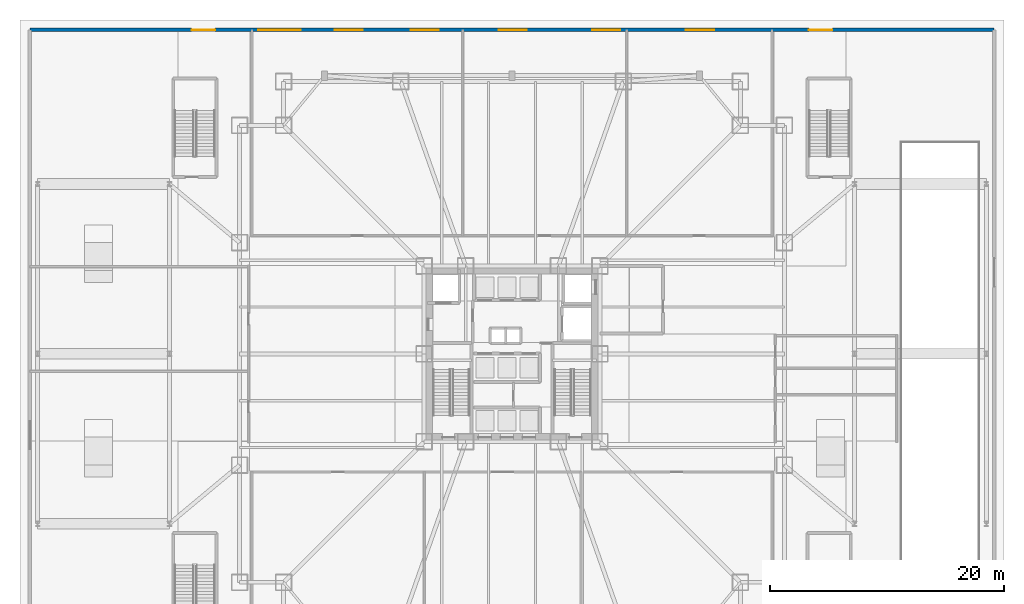
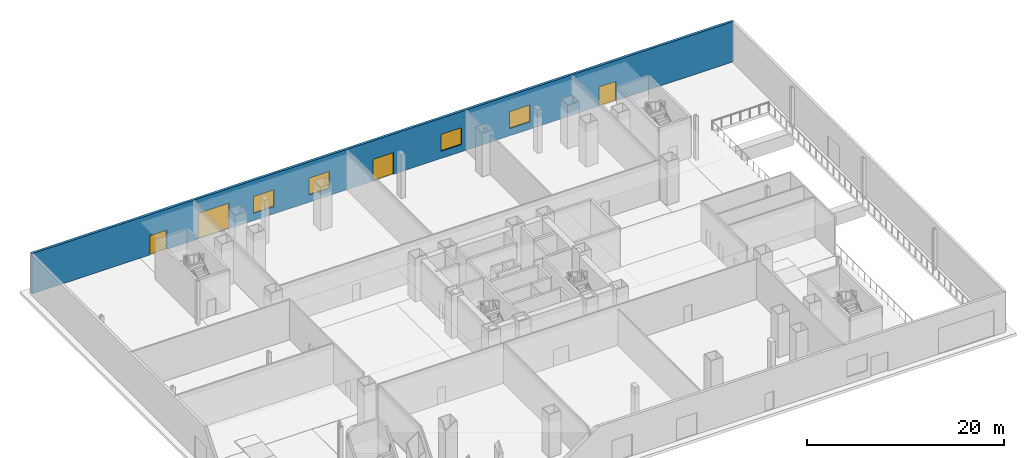
# One storey, part 10 of 24: 4 doors, 4 windows, 1 wall, 8 openings.
"""IFC4 building model written with IfcOpenShell, lengths in metres."""

from ifc_helpers import new_model, si_unit, direction, frame, frame_2d, origin, place, context, subcontext, project, spatial, rectangle, extrude, material, layer, layer_set, type_object, element, fill, save


model = new_model("IFC4")

# Units and contexts
model_context = context("Model", 3, precision=1e-05, world=origin(), true_north=direction((0.0, 1.0)))
body_context = subcontext(model_context, "Body", "Model", "MODEL_VIEW")
ifc_project = project(units=[si_unit("LENGTHUNIT", "METRE"), si_unit("AREAUNIT", "SQUARE_METRE"), si_unit("VOLUMEUNIT", "CUBIC_METRE"), si_unit("PLANEANGLEUNIT", "RADIAN"), si_unit("MASSUNIT", "GRAM", prefix="KILO")], contexts=[model_context])

# Site, building, storey
site_placement = place(None, origin())
site = spatial("IfcSite", under=ifc_project, at=site_placement, CompositionType="ELEMENT")
building_placement = place(site_placement, origin())
building = spatial("IfcBuilding", under=site, at=building_placement, Name="Trevonay Congress Spire", CompositionType="ELEMENT")
storey_placement = place(building_placement, origin())
storey = spatial("IfcBuildingStorey", under=building, at=storey_placement, Name="L00", CompositionType="ELEMENT", Elevation=0.0)

# Wall, openings, doors, windows
ifc_material_1 = material(Name="Precast concrete C40/50", Category="concrete")
ifc_layer = layer(ifc_material_1, 0.300048828125, Name="Precast concrete C40/50")
ifc_layer_set = layer_set([ifc_layer], Name="Precast concrete C40/50")
wall_type = type_object("IfcWallType", Name="WAL-EXT-PRECAST-300", PredefinedType="SOLIDWALL", material=ifc_layer_set)
wall_placement = place(storey_placement, frame((-41.14990234375, 27.64990234375, 0.0), z_axis=(0.0, 0.0, 1.0), x_axis=(1.0, 0.0, 0.0)))
wall = element("IfcWall", 1, at=wall_placement, inside=storey, type_object=wall_type, Name="L00 North harbour facade backup wall", PredefinedType="SOLIDWALL", context=body_context, shape_type="SweptSolid", body=[
    extrude(rectangle(XDim=82.2998046875, YDim=0.300048828125, at=frame_2d((41.14990234375, 0.0))), origin(), (0.0, 0.0, 1.0), 5.0),
])
opening_1_placement = place(wall_placement, frame((13.800048828125, 0.0, 0.0)))
opening_1 = element("IfcOpeningElement", 2, at=opening_1_placement, cuts=wall, Name="Opening D02", PredefinedType="OPENING", context=body_context, shape_type="SweptSolid", body=[
    extrude(rectangle(XDim=2.0, YDim=2.39990234375, at=frame_2d((1.0, 1.199951171875))), frame((0.0, 0.16015625, 0.0), z_axis=(0.0, -1.0, 0.0), x_axis=(1.0, 0.0, 0.0)), (0.0, 0.0, 1.0), 0.320068359375),
])
opening_2_placement = place(wall_placement, frame((19.5, 0.0, 0.0)))
opening_2 = element("IfcOpeningElement", 3, at=opening_2_placement, cuts=wall, Name="Opening VG02", PredefinedType="OPENING", context=body_context, shape_type="SweptSolid", body=[
    extrude(rectangle(XDim=3.60009765625, YDim=3.199951171875, at=frame_2d((1.800048828125, 1.60009765625))), frame((0.0, 0.16015625, 0.0), z_axis=(0.0, -1.0, 0.0), x_axis=(1.0, 0.0, 0.0)), (0.0, 0.0, 1.0), 0.320068359375),
])
opening_3_placement = place(wall_placement, frame((40.0, 0.0, 0.0)))
opening_3 = element("IfcOpeningElement", 4, at=opening_3_placement, cuts=wall, Name="Opening D01", PredefinedType="OPENING", context=body_context, shape_type="SweptSolid", body=[
    extrude(rectangle(XDim=2.39990234375, YDim=2.699951171875, at=frame_2d((1.199951171875, 1.35009765625))), frame((0.0, 0.16015625, 0.0), z_axis=(0.0, -1.0, 0.0), x_axis=(1.0, 0.0, 0.0)), (0.0, 0.0, 1.0), 0.320068359375),
])
opening_4_placement = place(wall_placement, frame((66.5, 0.0, 0.0)))
opening_4 = element("IfcOpeningElement", 5, at=opening_4_placement, cuts=wall, Name="Opening D02", PredefinedType="OPENING", context=body_context, shape_type="SweptSolid", body=[
    extrude(rectangle(XDim=2.0, YDim=2.39990234375, at=frame_2d((1.0, 1.199951171875))), frame((0.0, 0.16015625, 0.0), z_axis=(0.0, -1.0, 0.0), x_axis=(1.0, 0.0, 0.0)), (0.0, 0.0, 1.0), 0.320068359375),
])
opening_5_placement = place(wall_placement, frame((26.0, 0.0, 0.89990234375)))
opening_5 = element("IfcOpeningElement", 6, at=opening_5_placement, cuts=wall, Name="Opening WN02", PredefinedType="OPENING", context=body_context, shape_type="SweptSolid", body=[
    extrude(rectangle(XDim=2.39990234375, YDim=2.10009765625, at=frame_2d((1.199951171875, 1.050048828125))), frame((0.0, 0.16015625, 0.0), z_axis=(0.0, -1.0, 0.0), x_axis=(1.0, 0.0, 0.0)), (0.0, 0.0, 1.0), 0.320068359375),
])
opening_6_placement = place(wall_placement, frame((32.5, 0.0, 0.89990234375)))
opening_6 = element("IfcOpeningElement", 7, at=opening_6_placement, cuts=wall, Name="Opening WN02", PredefinedType="OPENING", context=body_context, shape_type="SweptSolid", body=[
    extrude(rectangle(XDim=2.39990234375, YDim=2.10009765625, at=frame_2d((1.199951171875, 1.050048828125))), frame((0.0, 0.16015625, 0.0), z_axis=(0.0, -1.0, 0.0), x_axis=(1.0, 0.0, 0.0)), (0.0, 0.0, 1.0), 0.320068359375),
])
opening_7_placement = place(wall_placement, frame((48.0, 0.0, 0.89990234375)))
opening_7 = element("IfcOpeningElement", 8, at=opening_7_placement, cuts=wall, Name="Opening WN02", PredefinedType="OPENING", context=body_context, shape_type="SweptSolid", body=[
    extrude(rectangle(XDim=2.39990234375, YDim=2.10009765625, at=frame_2d((1.199951171875, 1.050048828125))), frame((0.0, 0.16015625, 0.0), z_axis=(0.0, -1.0, 0.0), x_axis=(1.0, 0.0, 0.0)), (0.0, 0.0, 1.0), 0.320068359375),
])
opening_8_placement = place(wall_placement, frame((56.0, 0.0, 0.89990234375)))
opening_8 = element("IfcOpeningElement", 9, at=opening_8_placement, cuts=wall, Name="Opening WN02", PredefinedType="OPENING", context=body_context, shape_type="SweptSolid", body=[
    extrude(rectangle(XDim=2.39990234375, YDim=2.10009765625, at=frame_2d((1.199951171875, 1.050048828125))), frame((0.0, 0.16015625, 0.0), z_axis=(0.0, -1.0, 0.0), x_axis=(1.0, 0.0, 0.0)), (0.0, 0.0, 1.0), 0.320068359375),
])
ifc_material_2 = material(Name="Pale Anodised Aluminium EN AW-6063-T6", Category="aluminium")
door_type_1 = type_object("IfcDoorType", Name="DOR-EXT-ENTR-DBL", OperationType="DOUBLE_DOOR_SINGLE_SWING", PredefinedType="DOOR", material=ifc_material_2)
door_1_placement = place(opening_3_placement, origin())
door_1 = element("IfcDoor", 10, at=door_1_placement, inside=storey, type_object=door_type_1, Name="L00 North diplomatic drop-off portal door", OperationType="DOUBLE_DOOR_SINGLE_SWING", OverallHeight=2.699951171875, OverallWidth=2.39990234375, PredefinedType="DOOR", context=body_context, shape_type="SweptSolid", body=[
    extrude(rectangle(XDim=2.39990234375, YDim=2.699951171875, at=frame_2d((1.199951171875, 1.35009765625))), frame((0.0, 0.02490234375, 0.0), z_axis=(0.0, -1.0, 0.0), x_axis=(1.0, 0.0, 0.0)), (0.0, 0.0, 1.0), 0.050048828125),
])
fill(opening_3, door_1)
door_type_2 = type_object("IfcDoorType", Name="DOR-EXT-EXIT-DBL", OperationType="DOUBLE_DOOR_SINGLE_SWING", PredefinedType="DOOR", material=ifc_material_2)
door_2_placement = place(opening_1_placement, origin())
door_2 = element("IfcDoor", 11, at=door_2_placement, inside=storey, type_object=door_type_2, Name="L00 North-West protected exit discharge door", OperationType="DOUBLE_DOOR_SINGLE_SWING", OverallHeight=2.39990234375, OverallWidth=2.0, PredefinedType="DOOR", context=body_context, shape_type="SweptSolid", body=[
    extrude(rectangle(XDim=2.0, YDim=2.39990234375, at=frame_2d((1.0, 1.199951171875))), frame((0.0, 0.02490234375, 0.0), z_axis=(0.0, -1.0, 0.0), x_axis=(1.0, 0.0, 0.0)), (0.0, 0.0, 1.0), 0.050048828125),
])
fill(opening_1, door_2)
door_3_placement = place(opening_4_placement, origin())
door_3 = element("IfcDoor", 12, at=door_3_placement, inside=storey, type_object=door_type_2, Name="L00 North-East protected exit discharge door", OperationType="DOUBLE_DOOR_SINGLE_SWING", OverallHeight=2.39990234375, OverallWidth=2.0, PredefinedType="DOOR", context=body_context, shape_type="SweptSolid", body=[
    extrude(rectangle(XDim=2.0, YDim=2.39990234375, at=frame_2d((1.0, 1.199951171875))), frame((0.0, 0.02490234375, 0.0), z_axis=(0.0, -1.0, 0.0), x_axis=(1.0, 0.0, 0.0)), (0.0, 0.0, 1.0), 0.050048828125),
])
fill(opening_4, door_3)
door_type_3 = type_object("IfcDoorType", Name="GAT-SRV-ROLLER-360", OperationType="ROLLINGUP", PredefinedType="GATE", material=ifc_material_2)
door_4_placement = place(opening_2_placement, origin())
door_4 = element("IfcDoor", 13, at=door_4_placement, inside=storey, type_object=door_type_3, Name="L00 North-West exhibition freight shutter gate VG02", OperationType="SINGLE_SWING_LEFT", OverallHeight=3.199951171875, OverallWidth=3.60009765625, PredefinedType="GATE", context=body_context, shape_type="SweptSolid", body=[
    extrude(rectangle(XDim=3.60009765625, YDim=3.199951171875, at=frame_2d((1.800048828125, 1.60009765625))), frame((0.0, 0.02490234375, 0.0), z_axis=(0.0, -1.0, 0.0), x_axis=(1.0, 0.0, 0.0)), (0.0, 0.0, 1.0), 0.050048828125),
])
fill(opening_2, door_4)
ifc_material_3 = material(Name="Insulated Low-E Vision Glass IGU", Category="glass")
window_type = type_object("IfcWindowType", Name="WIN-PODIUM-240X210", PartitioningType="SINGLE_PANEL", PredefinedType="WINDOW", material=ifc_material_3)
window_1_placement = place(opening_5_placement, origin())
window_1 = element("IfcWindow", 14, at=window_1_placement, inside=storey, type_object=window_type, Name="L00 North harbour arcade window 1", OverallHeight=2.10009765625, OverallWidth=2.39990234375, PartitioningType="SINGLE_PANEL", PredefinedType="WINDOW", context=body_context, shape_type="SweptSolid", body=[
    extrude(rectangle(XDim=2.39990234375, YDim=2.10009765625, at=frame_2d((1.199951171875, 1.050048828125))), frame((0.0, 0.030029296875, 0.0), z_axis=(0.0, -1.0, 0.0), x_axis=(1.0, 0.0, 0.0)), (0.0, 0.0, 1.0), 0.06005859375),
])
fill(opening_5, window_1)
window_2_placement = place(opening_6_placement, origin())
window_2 = element("IfcWindow", 15, at=window_2_placement, inside=storey, type_object=window_type, Name="L00 North harbour arcade window 2", OverallHeight=2.10009765625, OverallWidth=2.39990234375, PartitioningType="SINGLE_PANEL", PredefinedType="WINDOW", context=body_context, shape_type="SweptSolid", body=[
    extrude(rectangle(XDim=2.39990234375, YDim=2.10009765625, at=frame_2d((1.199951171875, 1.050048828125))), frame((0.0, 0.030029296875, 0.0), z_axis=(0.0, -1.0, 0.0), x_axis=(1.0, 0.0, 0.0)), (0.0, 0.0, 1.0), 0.06005859375),
])
fill(opening_6, window_2)
window_3_placement = place(opening_7_placement, origin())
window_3 = element("IfcWindow", 16, at=window_3_placement, inside=storey, type_object=window_type, Name="L00 North harbour arcade window 3", OverallHeight=2.10009765625, OverallWidth=2.39990234375, PartitioningType="SINGLE_PANEL", PredefinedType="WINDOW", context=body_context, shape_type="SweptSolid", body=[
    extrude(rectangle(XDim=2.39990234375, YDim=2.10009765625, at=frame_2d((1.199951171875, 1.050048828125))), frame((0.0, 0.030029296875, 0.0), z_axis=(0.0, -1.0, 0.0), x_axis=(1.0, 0.0, 0.0)), (0.0, 0.0, 1.0), 0.06005859375),
])
fill(opening_7, window_3)
window_4_placement = place(opening_8_placement, origin())
window_4 = element("IfcWindow", 17, at=window_4_placement, inside=storey, type_object=window_type, Name="L00 North harbour arcade window 4", OverallHeight=2.10009765625, OverallWidth=2.39990234375, PartitioningType="SINGLE_PANEL", PredefinedType="WINDOW", context=body_context, shape_type="SweptSolid", body=[
    extrude(rectangle(XDim=2.39990234375, YDim=2.10009765625, at=frame_2d((1.199951171875, 1.050048828125))), frame((0.0, 0.030029296875, 0.0), z_axis=(0.0, -1.0, 0.0), x_axis=(1.0, 0.0, 0.0)), (0.0, 0.0, 1.0), 0.06005859375),
])
fill(opening_8, window_4)

save(model, "model.ifc")
